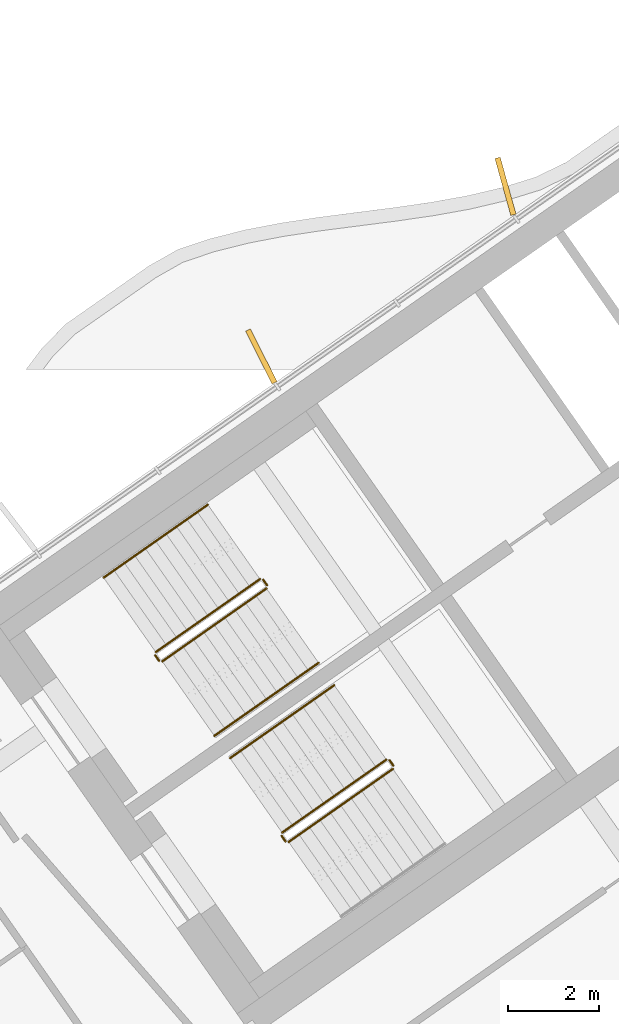
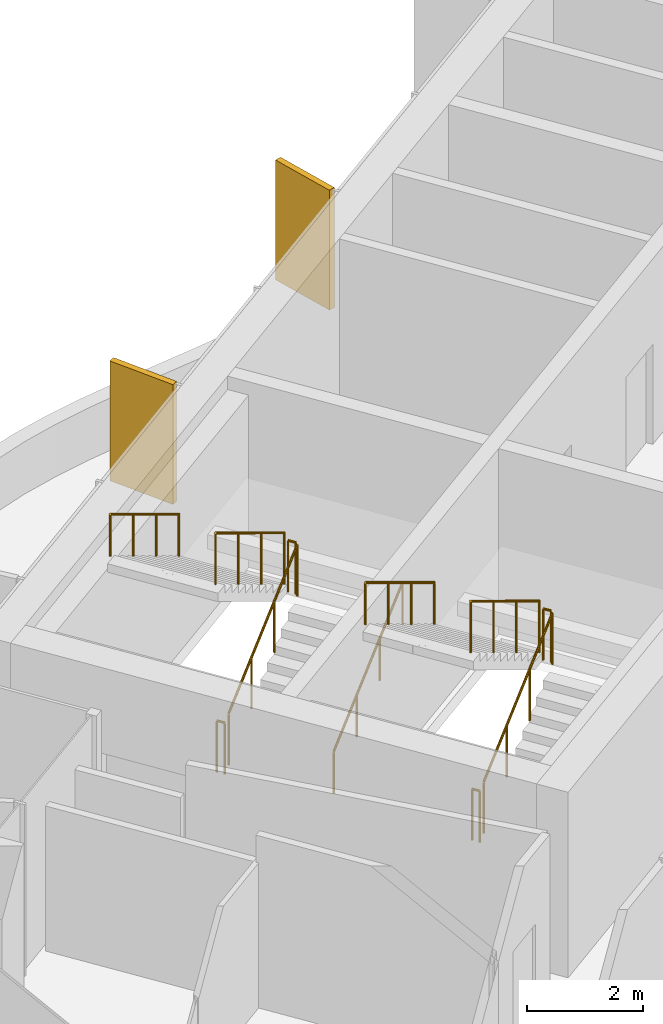
# One storey, part 16 of 19: 11 railings, 2 shading devices.
"""IFC4 building model written with IfcOpenShell, lengths in metres."""

from ifc_helpers import new_model, si_unit, direction, frame, origin, origin_2d, place, context, subcontext, project, spatial, rectangle, circle, extrude, material, layer, layer_set, type_object, element, save


model = new_model("IFC4")

# Units and contexts
model_context = context("Model", 3, precision=1e-05, world=origin(), true_north=direction((0.0, 1.0)))
body_context = subcontext(model_context, "Body", "Model", "MODEL_VIEW")
ifc_project = project(units=[si_unit("LENGTHUNIT", "METRE"), si_unit("AREAUNIT", "SQUARE_METRE"), si_unit("VOLUMEUNIT", "CUBIC_METRE"), si_unit("PLANEANGLEUNIT", "RADIAN"), si_unit("MASSUNIT", "GRAM", prefix="KILO")], contexts=[model_context])

# Site, building, storey
site_placement = place(None, origin())
site = spatial("IfcSite", under=ifc_project, at=site_placement, CompositionType="ELEMENT")
building_placement = place(site_placement, origin())
building = spatial("IfcBuilding", under=site, at=building_placement, Name="Tel Ilan Convention Tower", CompositionType="ELEMENT")
storey_placement = place(building_placement, frame((0.0, 0.0, 241.0)))
storey = spatial("IfcBuildingStorey", under=building, at=storey_placement, Name="L56", CompositionType="ELEMENT", Elevation=241.0)

# Shading devices
ifc_material_1 = material(Name="Aluminium, bronze anodised", Category="aluminium")
ifc_layer = layer(ifc_material_1, 0.1201171875)
ifc_layer_set = layer_set([ifc_layer], Name="FIN BRONZE 1300x120")
shading_device_type = type_object("IfcShadingDeviceType", Name="FIN BRONZE 1300x120", PredefinedType="USERDEFINED", material=ifc_layer_set)
for number, where, z_axis, x_axis, name in (
    (1, (-15.981201171875, 2.39990234375, 1.10009765625), (0.0, 0.0, 1.0), (-0.268172612768, 0.963370878614, 0.0), "FIN"),
    (2, (-21.357421875, -1.34130859375, 1.10009765625), (0.0, 0.0, 1.0), (-0.448799180206, 0.893632640321, 0.0), "FIN"),
):
    element("IfcShadingDevice", number, at=place(storey_placement, frame(where, z_axis=z_axis, x_axis=x_axis)), inside=storey, type_object=shading_device_type, Name=name, ObjectType="FIN", PredefinedType="USERDEFINED", context=body_context, shape_type="SweptSolid", body=[
        extrude(rectangle(XDim=1.300048828125, YDim=0.1201171875, at=origin_2d()), origin(), (0.0, 0.0, 1.0), 2.52001953125),
    ])

# Railings
ifc_material_2 = material(Name="Stainless Steel Grade 316", Category="steel")
railing_type_1 = type_object("IfcRailingType", Name="Stainless Steel Stair Guard 1100 mm", PredefinedType="GUARDRAIL", material=ifc_material_2)
railing_1_placement = place(storey_placement, frame((-23.535400390625, -8.056396484375, 0.17724609375)))
element("IfcRailing", 3, at=railing_1_placement, inside=storey, type_object=railing_type_1, Name="L56 S1 stair guard 1", PredefinedType="GUARDRAIL", context=body_context, shape_type="SweptSolid", body=[
    extrude(circle(Radius=0.02392578125, at=origin_2d()), frame((0.0, 0.0, 1.076171875), z_axis=(0.692098378994, 0.484653031975, 0.534893701956), x_axis=(-0.573608623498, 0.819129505664, 0.0)), (0.0, 0.0, 1.0), 3.314208984375),
    extrude(circle(Radius=0.02099609375, at=origin_2d()), origin(), (0.0, 0.0, 1.0), 1.052001953125),
    extrude(circle(Radius=0.02099609375, at=origin_2d()), frame((0.7646484375, 0.535400390625, 0.5908203125)), (0.0, 0.0, 1.0), 1.052001953125),
    extrude(circle(Radius=0.02099609375, at=origin_2d()), frame((1.529052734375, 1.07080078125, 1.181884765625)), (0.0, 0.0, 1.0), 1.052001953125),
    extrude(circle(Radius=0.02099609375, at=origin_2d()), frame((2.293701171875, 1.606201171875, 1.772705078125)), (0.0, 0.0, 1.0), 1.052001953125),
])
railing_2_placement = place(storey_placement, frame((-21.2294921875, -6.380615234375, 1.949951171875)))
element("IfcRailing", 4, at=railing_2_placement, inside=storey, type_object=railing_type_1, Name="L56 S1 stair guard 2", PredefinedType="GUARDRAIL", context=body_context, shape_type="SweptSolid", body=[
    extrude(circle(Radius=0.02392578125, at=origin_2d()), frame((0.0, 0.0, 1.076171875), z_axis=(-0.573353020881, 0.819308436089, 0.0), x_axis=(-0.819308436089, -0.573353020881, 0.0)), (0.0, 0.0, 1.0), 0.14990234375),
    extrude(circle(Radius=0.02099609375, at=origin_2d()), origin(), (0.0, 0.0, 1.0), 1.052001953125),
    extrude(circle(Radius=0.02099609375, at=origin_2d()), frame((-0.0859375, 0.122802734375, 0.0)), (0.0, 0.0, 1.0), 1.052001953125),
])
railing_3_placement = place(storey_placement, frame((-21.38525390625, -6.24560546875, 2.127197265625)))
element("IfcRailing", 5, at=railing_3_placement, inside=storey, type_object=railing_type_1, Name="L56 S1 stair guard 3", PredefinedType="GUARDRAIL", context=body_context, shape_type="SweptSolid", body=[
    extrude(circle(Radius=0.02392578125, at=origin_2d()), frame((0.0, 0.0, 1.076171875), z_axis=(-0.692084706163, -0.484621375041, 0.534940073605), x_axis=(0.573591086599, -0.819141785879, 0.0)), (0.0, 0.0, 1.0), 3.313720703125),
    extrude(circle(Radius=0.02099609375, at=origin_2d()), origin(), (0.0, 0.0, 1.0), 1.052001953125),
    extrude(circle(Radius=0.02099609375, at=origin_2d()), frame((-0.764404296875, -0.535400390625, 0.5908203125)), (0.0, 0.0, 1.0), 1.052001953125),
    extrude(circle(Radius=0.02099609375, at=origin_2d()), frame((-1.529052734375, -1.070556640625, 1.181884765625)), (0.0, 0.0, 1.0), 1.052001953125),
    extrude(circle(Radius=0.02099609375, at=origin_2d()), frame((-2.29345703125, -1.60595703125, 1.772705078125)), (0.0, 0.0, 1.0), 1.052001953125),
])
railing_4_placement = place(storey_placement, frame((-23.60498046875, -8.0439453125, 0.0)))
element("IfcRailing", 6, at=railing_4_placement, inside=storey, type_object=railing_type_1, Name="L56 S1 stair guard 4", PredefinedType="GUARDRAIL", context=body_context, shape_type="SweptSolid", body=[
    extrude(circle(Radius=0.02392578125, at=origin_2d()), frame((0.0, 0.0, 1.076171875), z_axis=(-0.574444878118, 0.818543268254, 0.0), x_axis=(-0.818543268254, -0.574444878118, 0.0)), (0.0, 0.0, 1.0), 0.150146484375),
    extrude(circle(Radius=0.02099609375, at=origin_2d()), origin(), (0.0, 0.0, 1.0), 1.052001953125),
    extrude(circle(Radius=0.02099609375, at=origin_2d()), frame((-0.086181640625, 0.122802734375, 0.0)), (0.0, 0.0, 1.0), 1.052001953125),
])
railing_5_placement = place(storey_placement, frame((-20.753662109375, -12.029296875, 0.17724609375)))
element("IfcRailing", 7, at=railing_5_placement, inside=storey, type_object=railing_type_1, Name="L56 S2 stair guard 1", PredefinedType="GUARDRAIL", context=body_context, shape_type="SweptSolid", body=[
    extrude(circle(Radius=0.02392578125, at=origin_2d()), frame((0.0, 0.0, 1.076171875), z_axis=(0.692098378994, 0.484653031975, 0.534893701956), x_axis=(-0.573608623498, 0.819129505664, 0.0)), (0.0, 0.0, 1.0), 3.314208984375),
    extrude(circle(Radius=0.02099609375, at=origin_2d()), origin(), (0.0, 0.0, 1.0), 1.052001953125),
    extrude(circle(Radius=0.02099609375, at=origin_2d()), frame((0.7646484375, 0.535400390625, 0.5908203125)), (0.0, 0.0, 1.0), 1.052001953125),
    extrude(circle(Radius=0.02099609375, at=origin_2d()), frame((1.529052734375, 1.07080078125, 1.181884765625)), (0.0, 0.0, 1.0), 1.052001953125),
    extrude(circle(Radius=0.02099609375, at=origin_2d()), frame((2.293701171875, 1.606201171875, 1.772705078125)), (0.0, 0.0, 1.0), 1.052001953125),
])
railing_6_placement = place(storey_placement, frame((-18.44775390625, -10.353515625, 1.949951171875)))
element("IfcRailing", 8, at=railing_6_placement, inside=storey, type_object=railing_type_1, Name="L56 S2 stair guard 2", PredefinedType="GUARDRAIL", context=body_context, shape_type="SweptSolid", body=[
    extrude(circle(Radius=0.02392578125, at=origin_2d()), frame((0.0, 0.0, 1.076171875), z_axis=(-0.573353020881, 0.819308436089, 0.0), x_axis=(-0.819308436089, -0.573353020881, 0.0)), (0.0, 0.0, 1.0), 0.14990234375),
    extrude(circle(Radius=0.02099609375, at=origin_2d()), origin(), (0.0, 0.0, 1.0), 1.052001953125),
    extrude(circle(Radius=0.02099609375, at=origin_2d()), frame((-0.0859375, 0.122802734375, 0.0)), (0.0, 0.0, 1.0), 1.052001953125),
])
railing_7_placement = place(storey_placement, frame((-18.603271484375, -10.218505859375, 2.127197265625)))
element("IfcRailing", 9, at=railing_7_placement, inside=storey, type_object=railing_type_1, Name="L56 S2 stair guard 3", PredefinedType="GUARDRAIL", context=body_context, shape_type="SweptSolid", body=[
    extrude(circle(Radius=0.02392578125, at=origin_2d()), frame((0.0, 0.0, 1.076171875), z_axis=(-0.692123088272, -0.484596665743, 0.534912798717), x_axis=(0.573550118428, -0.819170471667, 0.0)), (0.0, 0.0, 1.0), 3.31396484375),
    extrude(circle(Radius=0.02099609375, at=origin_2d()), origin(), (0.0, 0.0, 1.0), 1.052001953125),
    extrude(circle(Radius=0.02099609375, at=origin_2d()), frame((-0.7646484375, -0.535400390625, 0.5908203125)), (0.0, 0.0, 1.0), 1.052001953125),
    extrude(circle(Radius=0.02099609375, at=origin_2d()), frame((-1.529052734375, -1.070556640625, 1.181884765625)), (0.0, 0.0, 1.0), 1.052001953125),
    extrude(circle(Radius=0.02099609375, at=origin_2d()), frame((-2.293701171875, -1.60595703125, 1.772705078125)), (0.0, 0.0, 1.0), 1.052001953125),
])
railing_8_placement = place(storey_placement, frame((-20.8232421875, -12.016845703125, 0.0)))
element("IfcRailing", 10, at=railing_8_placement, inside=storey, type_object=railing_type_1, Name="L56 S2 stair guard 4", PredefinedType="GUARDRAIL", context=body_context, shape_type="SweptSolid", body=[
    extrude(circle(Radius=0.02392578125, at=origin_2d()), frame((0.0, 0.0, 1.076171875), z_axis=(-0.573353020881, 0.819308436089, 0.0), x_axis=(-0.819308436089, -0.573353020881, 0.0)), (0.0, 0.0, 1.0), 0.14990234375),
    extrude(circle(Radius=0.02099609375, at=origin_2d()), origin(), (0.0, 0.0, 1.0), 1.052001953125),
    extrude(circle(Radius=0.02099609375, at=origin_2d()), frame((-0.0859375, 0.122802734375, 0.0)), (0.0, 0.0, 1.0), 1.052001953125),
])
ifc_material_3 = material(Name="Stainless Steel Grade 316", Category="steel")
railing_type_2 = type_object("IfcRailingType", Name="Stainless Steel Stair Handrail 900 mm", PredefinedType="HANDRAIL", material=ifc_material_3)
railing_9_placement = place(storey_placement, frame((-22.38818359375, -9.694580078125, 0.17724609375)))
element("IfcRailing", 11, at=railing_9_placement, inside=storey, type_object=railing_type_2, Name="L56 S1 stair handrail 1", PredefinedType="HANDRAIL", context=body_context, shape_type="SweptSolid", body=[
    extrude(circle(Radius=0.02392578125, at=origin_2d()), frame((0.0, 0.0, 0.8759765625), z_axis=(0.692084706163, 0.484621375041, 0.534940073605), x_axis=(-0.573591086599, 0.819141785879, 0.0)), (0.0, 0.0, 1.0), 3.313720703125),
    extrude(circle(Radius=0.02099609375, at=origin_2d()), origin(), (0.0, 0.0, 1.0), 0.851806640625),
    extrude(circle(Radius=0.02099609375, at=origin_2d()), frame((0.764404296875, 0.535400390625, 0.5908203125)), (0.0, 0.0, 1.0), 0.851806640625),
    extrude(circle(Radius=0.02099609375, at=origin_2d()), frame((1.529052734375, 1.070556640625, 1.181884765625)), (0.0, 0.0, 1.0), 0.851806640625),
    extrude(circle(Radius=0.02099609375, at=origin_2d()), frame((2.29345703125, 1.60595703125, 1.772705078125)), (0.0, 0.0, 1.0), 0.851806640625),
])
for number, where, name in (
    (12, (-22.5322265625, -4.607177734375, 2.127197265625), "L56 S1 stair handrail 2"),
    (13, (-19.75048828125, -8.580078125, 2.127197265625), "L56 S2 stair handrail 2"),
):
    element("IfcRailing", number, at=place(storey_placement, frame(where)), inside=storey, type_object=railing_type_2, Name=name, PredefinedType="HANDRAIL", context=body_context, shape_type="SweptSolid", body=[
        extrude(circle(Radius=0.02392578125, at=origin_2d()), frame((0.0, 0.0, 0.8759765625), z_axis=(-0.692123088272, -0.484596665743, 0.534912798717), x_axis=(0.573550118428, -0.819170471667, 0.0)), (0.0, 0.0, 1.0), 3.31396484375),
        extrude(circle(Radius=0.02099609375, at=origin_2d()), origin(), (0.0, 0.0, 1.0), 0.851806640625),
        extrude(circle(Radius=0.02099609375, at=origin_2d()), frame((-0.7646484375, -0.535400390625, 0.5908203125)), (0.0, 0.0, 1.0), 0.851806640625),
        extrude(circle(Radius=0.02099609375, at=origin_2d()), frame((-1.529052734375, -1.070556640625, 1.181884765625)), (0.0, 0.0, 1.0), 0.851806640625),
        extrude(circle(Radius=0.02099609375, at=origin_2d()), frame((-2.293701171875, -1.60595703125, 1.772705078125)), (0.0, 0.0, 1.0), 0.851806640625),
    ])

save(model, "model.ifc")
